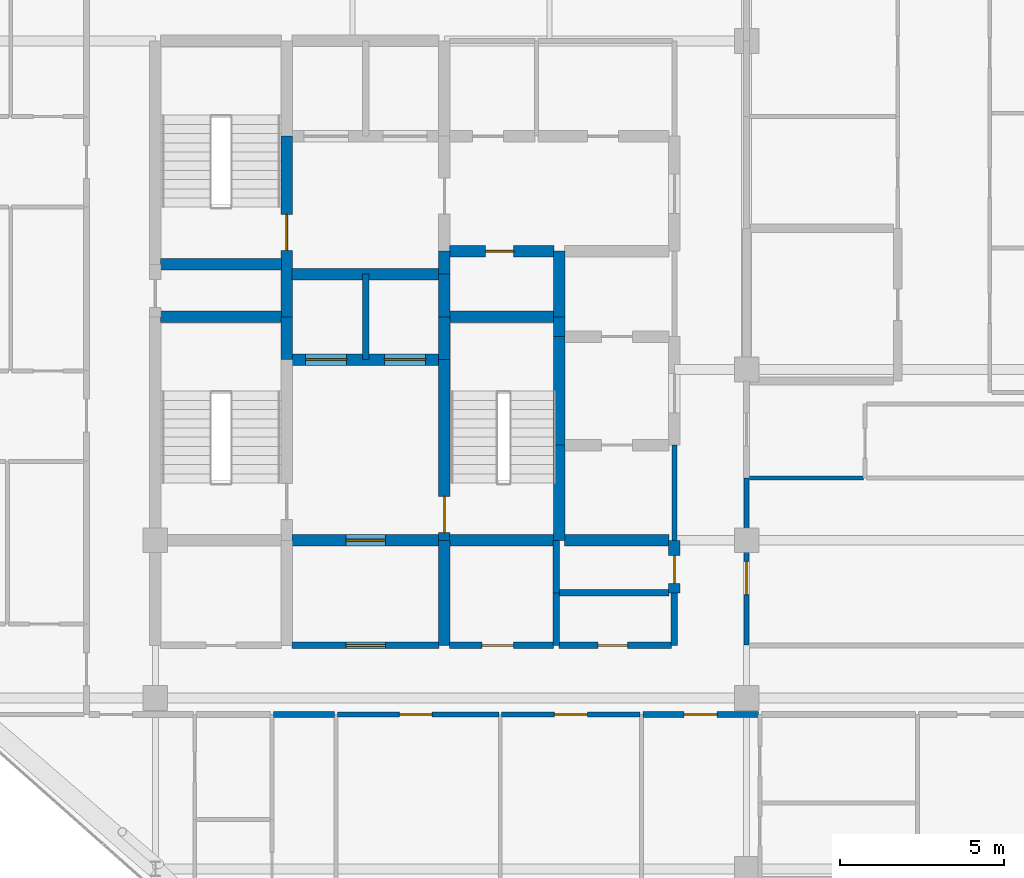
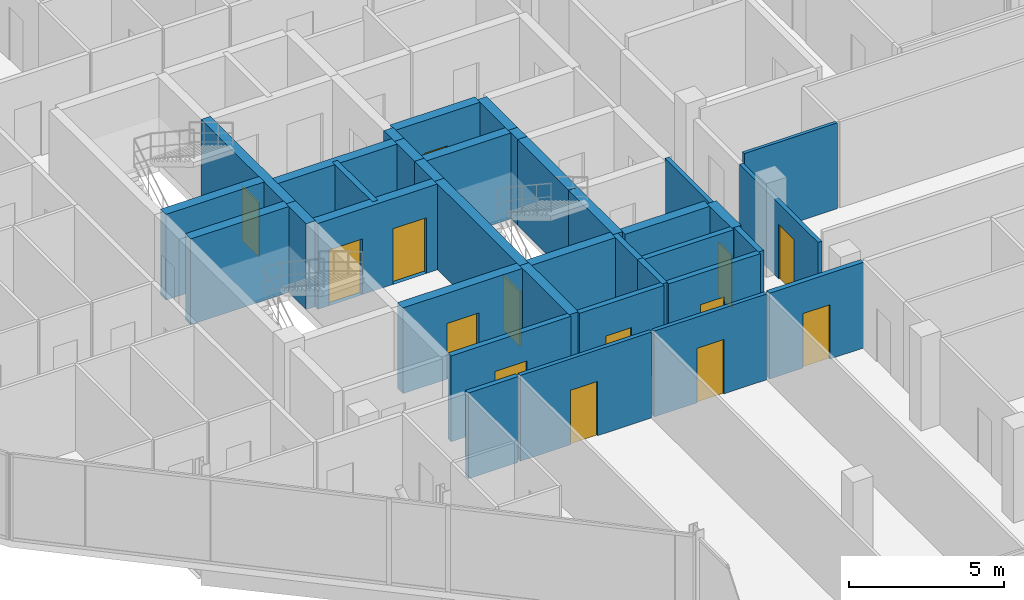
# One storey, part 24 of 29: 36 walls, 14 doors, 14 openings.
"""IFC4 building model written with IfcOpenShell, lengths in metres."""

from ifc_helpers import new_model, si_unit, direction, frame, frame_2d, origin, place, context, subcontext, project, spatial, rectangle, extrude, material, layer, layer_set, type_object, element, fill, save


model = new_model("IFC4")

# Units and contexts
model_context = context("Model", 3, precision=1e-05, world=origin(), true_north=direction((0.0, 1.0)))
body_context = subcontext(model_context, "Body", "Model", "MODEL_VIEW")
ifc_project = project(units=[si_unit("LENGTHUNIT", "METRE"), si_unit("AREAUNIT", "SQUARE_METRE"), si_unit("VOLUMEUNIT", "CUBIC_METRE"), si_unit("PLANEANGLEUNIT", "RADIAN"), si_unit("MASSUNIT", "GRAM", prefix="KILO")], contexts=[model_context])

# Site, building, storey
site_placement = place(None, origin())
site = spatial("IfcSite", under=ifc_project, at=site_placement, CompositionType="ELEMENT")
building_placement = place(site_placement, origin())
building = spatial("IfcBuilding", under=site, at=building_placement, Name="Keshet Zoharim Tower", CompositionType="ELEMENT")
storey_placement = place(building_placement, frame((0.0, 0.0, 230.199951171875)))
storey = spatial("IfcBuildingStorey", under=building, at=storey_placement, Name="L57", CompositionType="ELEMENT", Elevation=230.199951171875)

# Wall
ifc_material_1 = material(Name="Gypsum Plasterboard", Category="gypsum")
ifc_layer_1 = layer(ifc_material_1, 0.14990234375)
ifc_layer_set_1 = layer_set([ifc_layer_1], Name="Gypsum Plasterboard")
wall_type_1 = type_object("IfcWallType", Name="WL-CLIN-150", PredefinedType="STANDARD", material=ifc_layer_set_1)
wall_1_placement = place(storey_placement, frame((30.800048828125, 22.699951171875, 0.0), z_axis=(0.0, 0.0, 1.0), x_axis=(0.0, 1.0, 0.0)))
element("IfcWall", 1, at=wall_1_placement, inside=storey, type_object=wall_type_1, Name="L57 Interior Wall 058", PredefinedType="STANDARD", context=body_context, shape_type="SweptSolid", body=[
    extrude(rectangle(XDim=2.900146484375, YDim=0.14990234375, at=frame_2d((1.4501953125, 0.0))), origin(), (0.0, 0.0, 1.0), 3.39013671875),
])

# Wall, opening, door
wall_2_placement = place(storey_placement, frame((33.0, 19.510009765625, 0.0), z_axis=(0.0, 0.0, 1.0), x_axis=(0.0, 1.0, 0.0)))
wall_2 = element("IfcWall", 2, at=wall_2_placement, inside=storey, type_object=wall_type_1, Name="L57 Interior Wall 064", PredefinedType="STANDARD", context=body_context, shape_type="SweptSolid", body=[
    extrude(rectangle(XDim=5.080078125, YDim=0.14990234375, at=frame_2d((2.5400390625, 0.0))), origin(), (0.0, 0.0, 1.0), 2.989990234375),
])
opening_1_placement = place(wall_2_placement, frame((1.5400390625, 0.0, 0.0)))
opening_1 = element("IfcOpeningElement", 3, at=opening_1_placement, cuts=wall_2, Name="Opening D-F310", PredefinedType="OPENING", context=body_context, shape_type="SweptSolid", body=[
    extrude(rectangle(XDim=1.0, YDim=2.14990234375, at=frame_2d((0.5, 1.074951171875))), frame((0.0, 0.0849609375, 0.0), z_axis=(0.0, -1.0, 0.0), x_axis=(1.0, 0.0, 0.0)), (0.0, 0.0, 1.0), 0.169921875),
])
ifc_material_2 = material(Name="Hardwood Timber", Category="wood")
door_type_1 = type_object("IfcDoorType", Name="DR-FD30-100", OperationType="NOTDEFINED", PredefinedType="DOOR", material=ifc_material_2)
door_1_placement = place(opening_1_placement, origin())
door_1 = element("IfcDoor", 4, at=door_1_placement, inside=storey, type_object=door_type_1, Name="L57 South East Residents Services Suite Door 2", OperationType="SINGLE_SWING_RIGHT", OverallHeight=2.14990234375, OverallWidth=1.0, PredefinedType="DOOR", context=body_context, shape_type="SweptSolid", body=[
    extrude(rectangle(XDim=1.0, YDim=2.14990234375, at=frame_2d((0.5, 1.074951171875))), frame((0.0, 0.02490234375, 0.0), z_axis=(0.0, -1.0, 0.0), x_axis=(1.0, 0.0, 0.0)), (0.0, 0.0, 1.0), 0.050048828125),
])
fill(opening_1, door_1)

wall_3_placement = place(storey_placement, frame((20.544921875, 17.39990234375, 0.0), z_axis=(0.0, 0.0, 1.0), x_axis=(1.0, 0.0, 0.0)))
wall_3 = element("IfcWall", 5, at=wall_3_placement, inside=storey, type_object=wall_type_1, Name="L57 Interior Wall 114", PredefinedType="STANDARD", context=body_context, shape_type="SweptSolid", body=[
    extrude(rectangle(XDim=4.91015625, YDim=0.14990234375, at=frame_2d((2.455078125, 0.0))), origin(), (0.0, 0.0, 1.0), 3.39013671875),
])
opening_2_placement = place(wall_3_placement, frame((1.884033203125, 0.0, 0.0)))
opening_2 = element("IfcOpeningElement", 6, at=opening_2_placement, cuts=wall_3, Name="Opening D-F310", PredefinedType="OPENING", context=body_context, shape_type="SweptSolid", body=[
    extrude(rectangle(XDim=1.0, YDim=2.14990234375, at=frame_2d((0.5, 1.074951171875))), frame((0.0, 0.0849609375, 0.0), z_axis=(0.0, -1.0, 0.0), x_axis=(1.0, 0.0, 0.0)), (0.0, 0.0, 1.0), 0.169921875),
])
door_2_placement = place(opening_2_placement, origin())
door_2 = element("IfcDoor", 7, at=door_2_placement, inside=storey, type_object=door_type_1, Name="L57 Residents Fitness Studio Door", OperationType="SINGLE_SWING_LEFT", OverallHeight=2.14990234375, OverallWidth=1.0, PredefinedType="DOOR", context=body_context, shape_type="SweptSolid", body=[
    extrude(rectangle(XDim=1.0, YDim=2.14990234375, at=frame_2d((0.5, 1.074951171875))), frame((0.0, 0.02490234375, 0.0), z_axis=(0.0, -1.0, 0.0), x_axis=(1.0, 0.0, 0.0)), (0.0, 0.0, 1.0), 0.050048828125),
])
fill(opening_2, door_2)

wall_4_placement = place(storey_placement, frame((25.544921875, 17.39990234375, 0.0), z_axis=(0.0, 0.0, 1.0), x_axis=(1.0, 0.0, 0.0)))
wall_4 = element("IfcWall", 8, at=wall_4_placement, inside=storey, type_object=wall_type_1, Name="L57 Interior Wall 115", PredefinedType="STANDARD", context=body_context, shape_type="SweptSolid", body=[
    extrude(rectangle(XDim=4.2099609375, YDim=0.14990234375, at=frame_2d((2.10498046875, 0.0))), origin(), (0.0, 0.0, 1.0), 3.39013671875),
])
opening_3_placement = place(wall_4_placement, frame((1.60498046875, 0.0, 0.0)))
opening_3 = element("IfcOpeningElement", 9, at=opening_3_placement, cuts=wall_4, Name="Opening D-F310", PredefinedType="OPENING", context=body_context, shape_type="SweptSolid", body=[
    extrude(rectangle(XDim=1.0, YDim=2.14990234375, at=frame_2d((0.5, 1.074951171875))), frame((0.0, 0.0849609375, 0.0), z_axis=(0.0, -1.0, 0.0), x_axis=(1.0, 0.0, 0.0)), (0.0, 0.0, 1.0), 0.169921875),
])
door_3_placement = place(opening_3_placement, origin())
door_3 = element("IfcDoor", 10, at=door_3_placement, inside=storey, type_object=door_type_1, Name="L57 Residents Reading Office Door", OperationType="SINGLE_SWING_RIGHT", OverallHeight=2.14990234375, OverallWidth=1.0, PredefinedType="DOOR", context=body_context, shape_type="SweptSolid", body=[
    extrude(rectangle(XDim=1.0, YDim=2.14990234375, at=frame_2d((0.5, 1.074951171875))), frame((0.0, 0.02490234375, 0.0), z_axis=(0.0, -1.0, 0.0), x_axis=(1.0, 0.0, 0.0)), (0.0, 0.0, 1.0), 0.050048828125),
])
fill(opening_3, door_3)

# Wall
ifc_material_3 = material(Name="Concrete C60/75", Category="concrete")
ifc_layer_2 = layer(ifc_material_3, 0.35009765625)
ifc_layer_set_2 = layer_set([ifc_layer_2], Name="Concrete C60/75")
wall_type_2 = type_object("IfcWallType", Name="WL-CORE-350", PredefinedType="SHEAR", material=ifc_layer_set_2)
wall_5_placement = place(storey_placement, frame((19.0, 28.199951171875, 0.0), z_axis=(0.0, 0.0, 1.0), x_axis=(0.0, 1.0, 0.0)))
element("IfcWall", 11, at=wall_5_placement, inside=storey, type_object=wall_type_2, Name="L57 Core Shear Wall 025", PredefinedType="SHEAR", context=body_context, shape_type="SweptSolid", body=[
    extrude(rectangle(XDim=1.300048828125, YDim=0.35009765625, at=frame_2d((0.64990234375, 0.0))), origin(), (0.0, 0.0, 1.0), 3.39013671875),
])

# Wall, opening, door
wall_6_placement = place(storey_placement, frame((19.0, 29.5, 0.0), z_axis=(0.0, 0.0, 1.0), x_axis=(0.0, 1.0, 0.0)))
wall_6 = element("IfcWall", 12, at=wall_6_placement, inside=storey, type_object=wall_type_2, Name="L57 Core Shear Wall 026", PredefinedType="SHEAR", context=body_context, shape_type="SweptSolid", body=[
    extrude(rectangle(XDim=5.5, YDim=0.35009765625, at=frame_2d((2.75, 0.0))), origin(), (0.0, 0.0, 1.0), 3.39013671875),
])
opening_4_placement = place(wall_6_placement, frame((2.02490234375, 0.0, 0.0)))
opening_4 = element("IfcOpeningElement", 13, at=opening_4_placement, cuts=wall_6, Name="Opening D-F611", PredefinedType="OPENING", context=body_context, shape_type="SweptSolid", body=[
    extrude(rectangle(XDim=1.10009765625, YDim=2.14990234375, at=frame_2d((0.550048828125, 1.074951171875))), frame((0.0, 0.18505859375, 0.0), z_axis=(0.0, -1.0, 0.0), x_axis=(1.0, 0.0, 0.0)), (0.0, 0.0, 1.0), 0.3701171875),
])
door_type_2 = type_object("IfcDoorType", Name="DR-FD60-110", OperationType="NOTDEFINED", PredefinedType="DOOR", material=ifc_material_2)
door_4_placement = place(opening_4_placement, origin())
door_4 = element("IfcDoor", 14, at=door_4_placement, inside=storey, type_object=door_type_2, Name="L57 Exit Stair ST-02 Fire Door", OperationType="SINGLE_SWING_LEFT", OverallHeight=2.14990234375, OverallWidth=1.10009765625, PredefinedType="DOOR", context=body_context, shape_type="SweptSolid", body=[
    extrude(rectangle(XDim=1.10009765625, YDim=2.14990234375, at=frame_2d((0.550048828125, 1.074951171875))), frame((0.0, 0.02490234375, 0.0), z_axis=(0.0, -1.0, 0.0), x_axis=(1.0, 0.0, 0.0)), (0.0, 0.0, 1.0), 0.050048828125),
])
fill(opening_4, door_4)

# Wall
wall_7_placement = place(storey_placement, frame((23.800048828125, 19.5, 0.0), z_axis=(0.0, 0.0, 1.0), x_axis=(0.0, 1.0, 0.0)))
element("IfcWall", 15, at=wall_7_placement, inside=storey, type_object=wall_type_2, Name="L57 Core Shear Wall 035", PredefinedType="SHEAR", context=body_context, shape_type="SweptSolid", body=[
    extrude(rectangle(XDim=3.199951171875, YDim=0.35009765625, at=frame_2d((1.60009765625, 0.0))), origin(), (0.0, 0.0, 1.0), 3.39013671875),
])

# Wall, opening, door
wall_8_placement = place(storey_placement, frame((23.800048828125, 22.699951171875, 0.0), z_axis=(0.0, 0.0, 1.0), x_axis=(0.0, 1.0, 0.0)))
wall_8 = element("IfcWall", 16, at=wall_8_placement, inside=storey, type_object=wall_type_2, Name="L57 Core Shear Wall 036", PredefinedType="SHEAR", context=body_context, shape_type="SweptSolid", body=[
    extrude(rectangle(XDim=5.5, YDim=0.35009765625, at=frame_2d((2.75, 0.0))), origin(), (0.0, 0.0, 1.0), 3.39013671875),
])
opening_5_placement = place(wall_8_placement, frame((0.235107421875, 0.0, 0.0)))
opening_5 = element("IfcOpeningElement", 17, at=opening_5_placement, cuts=wall_8, Name="Opening D-F611", PredefinedType="OPENING", context=body_context, shape_type="SweptSolid", body=[
    extrude(rectangle(XDim=1.10009765625, YDim=2.14990234375, at=frame_2d((0.550048828125, 1.074951171875))), frame((0.0, 0.18505859375, 0.0), z_axis=(0.0, -1.0, 0.0), x_axis=(1.0, 0.0, 0.0)), (0.0, 0.0, 1.0), 0.3701171875),
])
door_5_placement = place(opening_5_placement, frame((1.10009765625, 0.0, 0.0), z_axis=(0.0, 0.0, 1.0), x_axis=(-1.0, 0.0, 0.0)))
door_5 = element("IfcDoor", 18, at=door_5_placement, inside=storey, type_object=door_type_2, Name="L57 Exit Stair ST-03 Fire Door", OperationType="SINGLE_SWING_LEFT", OverallHeight=2.14990234375, OverallWidth=1.10009765625, PredefinedType="DOOR", context=body_context, shape_type="SweptSolid", body=[
    extrude(rectangle(XDim=1.10009765625, YDim=2.14990234375, at=frame_2d((0.550048828125, 1.074951171875))), frame((0.0, 0.02490234375, 0.0), z_axis=(0.0, -1.0, 0.0), x_axis=(1.0, 0.0, 0.0)), (0.0, 0.0, 1.0), 0.050048828125),
])
fill(opening_5, door_5)

# Walls
for number, where, z_axis, x_axis, name in (
    (19, (23.800048828125, 28.199951171875, 0.0), (0.0, 0.0, 1.0), (0.0, 1.0, 0.0), "L57 Core Shear Wall 037"),
    (20, (23.800048828125, 29.5, 0.0), (0.0, 0.0, 1.0), (0.0, 1.0, 0.0), "L57 Core Shear Wall 038"),
):
    element("IfcWall", number, at=place(storey_placement, frame(where, z_axis=z_axis, x_axis=x_axis)), inside=storey, type_object=wall_type_2, Name=name, PredefinedType="SHEAR", context=body_context, shape_type="SweptSolid", body=[
        extrude(rectangle(XDim=1.300048828125, YDim=0.35009765625, at=frame_2d((0.64990234375, 0.0))), origin(), (0.0, 0.0, 1.0), 3.39013671875),
    ])
wall_9_placement = place(storey_placement, frame((23.800048828125, 30.800048828125, 0.0), z_axis=(0.0, 0.0, 1.0), x_axis=(0.0, 1.0, 0.0)))
element("IfcWall", 21, at=wall_9_placement, inside=storey, type_object=wall_type_2, Name="L57 Core Shear Wall 039", PredefinedType="SHEAR", context=body_context, shape_type="SweptSolid", body=[
    extrude(rectangle(XDim=0.699951171875, YDim=0.35009765625, at=frame_2d((0.35009765625, 0.0))), origin(), (0.0, 0.0, 1.0), 3.39013671875),
])
wall_10_placement = place(storey_placement, frame((27.300048828125, 22.699951171875, 0.0), z_axis=(0.0, 0.0, 1.0), x_axis=(0.0, 1.0, 0.0)))
element("IfcWall", 22, at=wall_10_placement, inside=storey, type_object=wall_type_2, Name="L57 Core Shear Wall 047", PredefinedType="SHEAR", context=body_context, shape_type="SweptSolid", body=[
    extrude(rectangle(XDim=2.900146484375, YDim=0.35009765625, at=frame_2d((1.4501953125, 0.0))), origin(), (0.0, 0.0, 1.0), 3.39013671875),
])
wall_11_placement = place(storey_placement, frame((27.300048828125, 25.60009765625, 0.0), z_axis=(0.0, 0.0, 1.0), x_axis=(0.0, 1.0, 0.0)))
element("IfcWall", 23, at=wall_11_placement, inside=storey, type_object=wall_type_2, Name="L57 Core Shear Wall 048", PredefinedType="SHEAR", context=body_context, shape_type="SweptSolid", body=[
    extrude(rectangle(XDim=3.2998046875, YDim=0.35009765625, at=frame_2d((1.64990234375, 0.0))), origin(), (0.0, 0.0, 1.0), 3.39013671875),
])
wall_12_placement = place(storey_placement, frame((27.300048828125, 28.89990234375, 0.0), z_axis=(0.0, 0.0, 1.0), x_axis=(0.0, 1.0, 0.0)))
element("IfcWall", 24, at=wall_12_placement, inside=storey, type_object=wall_type_2, Name="L57 Core Shear Wall 049", PredefinedType="SHEAR", context=body_context, shape_type="SweptSolid", body=[
    extrude(rectangle(XDim=0.60009765625, YDim=0.35009765625, at=frame_2d((0.300048828125, 0.0))), origin(), (0.0, 0.0, 1.0), 3.39013671875),
])
wall_13_placement = place(storey_placement, frame((27.300048828125, 29.5, 0.0), z_axis=(0.0, 0.0, 1.0), x_axis=(0.0, 1.0, 0.0)))
element("IfcWall", 25, at=wall_13_placement, inside=storey, type_object=wall_type_2, Name="L57 Core Shear Wall 050", PredefinedType="SHEAR", context=body_context, shape_type="SweptSolid", body=[
    extrude(rectangle(XDim=2.0, YDim=0.35009765625, at=frame_2d((1.0, 0.0))), origin(), (0.0, 0.0, 1.0), 3.39013671875),
])

# Wall, opening, door
wall_14_placement = place(storey_placement, frame((30.800048828125, 21.10009765625, 0.0), z_axis=(0.0, 0.0, 1.0), x_axis=(0.0, 1.0, 0.0)))
wall_14 = element("IfcWall", 26, at=wall_14_placement, inside=storey, type_object=wall_type_2, Name="L57 Core Shear Wall 057", PredefinedType="SHEAR", context=body_context, shape_type="SweptSolid", body=[
    extrude(rectangle(XDim=1.599853515625, YDim=0.35009765625, at=frame_2d((0.7998046875, 0.0))), origin(), (0.0, 0.0, 1.0), 3.39013671875),
])
opening_6_placement = place(wall_14_placement, frame((0.287109375, 0.0, 0.0)))
opening_6 = element("IfcOpeningElement", 27, at=opening_6_placement, cuts=wall_14, Name="Opening D-RS85", PredefinedType="OPENING", context=body_context, shape_type="SweptSolid", body=[
    extrude(rectangle(XDim=0.85009765625, YDim=2.10009765625, at=frame_2d((0.425048828125, 1.050048828125))), frame((0.0, 0.18505859375, 0.0), z_axis=(0.0, -1.0, 0.0), x_axis=(1.0, 0.0, 0.0)), (0.0, 0.0, 1.0), 0.3701171875),
])
door_type_3 = type_object("IfcDoorType", Name="DR-RIS-085", OperationType="NOTDEFINED", PredefinedType="DOOR", material=ifc_material_2)
door_6_placement = place(opening_6_placement, origin())
door_6 = element("IfcDoor", 28, at=door_6_placement, inside=storey, type_object=door_type_3, Name="L57 Linen Store Door", OperationType="SINGLE_SWING_LEFT", OverallHeight=2.10009765625, OverallWidth=0.85009765625, PredefinedType="DOOR", context=body_context, shape_type="SweptSolid", body=[
    extrude(rectangle(XDim=0.85009765625, YDim=2.10009765625, at=frame_2d((0.425048828125, 1.050048828125))), frame((0.0, 0.02490234375, 0.0), z_axis=(0.0, -1.0, 0.0), x_axis=(1.0, 0.0, 0.0)), (0.0, 0.0, 1.0), 0.050048828125),
])
fill(opening_6, door_6)

wall_15_placement = place(storey_placement, frame((19.159912109375, 22.699951171875, 0.0), z_axis=(0.0, 0.0, 1.0), x_axis=(1.0, 0.0, 0.0)))
wall_15 = element("IfcWall", 29, at=wall_15_placement, inside=storey, type_object=wall_type_2, Name="L57 Core Shear Wall 133", PredefinedType="SHEAR", context=body_context, shape_type="SweptSolid", body=[
    extrude(rectangle(XDim=4.47998046875, YDim=0.35009765625, at=frame_2d((2.239990234375, 0.0))), origin(), (0.0, 0.0, 1.0), 3.39013671875),
])
opening_7_placement = place(wall_15_placement, frame((1.639892578125, 0.0, 0.0)))
opening_7 = element("IfcOpeningElement", 30, at=opening_7_placement, cuts=wall_15, Name="Opening D-F612", PredefinedType="OPENING", context=body_context, shape_type="SweptSolid", body=[
    extrude(rectangle(XDim=1.199951171875, YDim=2.199951171875, at=frame_2d((0.60009765625, 1.10009765625))), frame((0.0, 0.18505859375, 0.0), z_axis=(0.0, -1.0, 0.0), x_axis=(1.0, 0.0, 0.0)), (0.0, 0.0, 1.0), 0.3701171875),
])
door_type_4 = type_object("IfcDoorType", Name="DR-FD60-120", OperationType="NOTDEFINED", PredefinedType="DOOR", material=ifc_material_2)
door_7_placement = place(opening_7_placement, origin())
door_7 = element("IfcDoor", 31, at=door_7_placement, inside=storey, type_object=door_type_4, Name="L57 South Core Lobby Fire Door", OperationType="SINGLE_SWING_RIGHT", OverallHeight=2.199951171875, OverallWidth=1.199951171875, PredefinedType="DOOR", context=body_context, shape_type="SweptSolid", body=[
    extrude(rectangle(XDim=1.199951171875, YDim=2.199951171875, at=frame_2d((0.60009765625, 1.10009765625))), frame((0.0, 0.02490234375, 0.0), z_axis=(0.0, -1.0, 0.0), x_axis=(1.0, 0.0, 0.0)), (0.0, 0.0, 1.0), 0.050048828125),
])
fill(opening_7, door_7)

# Walls
wall_16_placement = place(storey_placement, frame((23.9599609375, 22.699951171875, 0.0), z_axis=(0.0, 0.0, 1.0), x_axis=(1.0, 0.0, 0.0)))
element("IfcWall", 32, at=wall_16_placement, inside=storey, type_object=wall_type_2, Name="L57 Core Shear Wall 134", PredefinedType="SHEAR", context=body_context, shape_type="SweptSolid", body=[
    extrude(rectangle(XDim=3.155029296875, YDim=0.35009765625, at=frame_2d((1.57763671875, 0.0))), origin(), (0.0, 0.0, 1.0), 3.39013671875),
])
wall_17_placement = place(storey_placement, frame((27.4599609375, 22.699951171875, 0.0), z_axis=(0.0, 0.0, 1.0), x_axis=(1.0, 0.0, 0.0)))
element("IfcWall", 33, at=wall_17_placement, inside=storey, type_object=wall_type_2, Name="L57 Core Shear Wall 135", PredefinedType="SHEAR", context=body_context, shape_type="SweptSolid", body=[
    extrude(rectangle(XDim=3.179931640625, YDim=0.35009765625, at=frame_2d((1.58984375, 0.0))), origin(), (0.0, 0.0, 1.0), 3.39013671875),
])

# Wall, openings, doors
wall_18_placement = place(storey_placement, frame((19.159912109375, 28.199951171875, 0.0), z_axis=(0.0, 0.0, 1.0), x_axis=(1.0, 0.0, 0.0)))
wall_18 = element("IfcWall", 34, at=wall_18_placement, inside=storey, type_object=wall_type_2, Name="L57 Core Shear Wall 148", PredefinedType="SHEAR", context=body_context, shape_type="SweptSolid", body=[
    extrude(rectangle(XDim=4.47998046875, YDim=0.35009765625, at=frame_2d((2.239990234375, 0.0))), origin(), (0.0, 0.0, 1.0), 3.39013671875),
])
opening_8_placement = place(wall_18_placement, frame((0.4150390625, 0.0, 0.0)))
opening_8 = element("IfcOpeningElement", 35, at=opening_8_placement, cuts=wall_18, Name="Opening LD-01", PredefinedType="OPENING", context=body_context, shape_type="SweptSolid", body=[
    extrude(rectangle(XDim=1.25, YDim=2.199951171875, at=frame_2d((0.625, 1.10009765625))), frame((0.0, 0.18505859375, 0.0), z_axis=(0.0, -1.0, 0.0), x_axis=(1.0, 0.0, 0.0)), (0.0, 0.0, 1.0), 0.3701171875),
])
opening_9_placement = place(wall_18_placement, frame((2.81494140625, 0.0, 0.0)))
opening_9 = element("IfcOpeningElement", 36, at=opening_9_placement, cuts=wall_18, Name="Opening LD-01", PredefinedType="OPENING", context=body_context, shape_type="SweptSolid", body=[
    extrude(rectangle(XDim=1.25, YDim=2.199951171875, at=frame_2d((0.625, 1.10009765625))), frame((0.0, 0.18505859375, 0.0), z_axis=(0.0, -1.0, 0.0), x_axis=(1.0, 0.0, 0.0)), (0.0, 0.0, 1.0), 0.3701171875),
])
ifc_material_4 = material(Name="Steel S355", Category="steel")
door_type_5 = type_object("IfcDoorType", Name="DR-LD01-125", OperationType="DOUBLE_DOOR_SLIDING", PredefinedType="DOOR", material=ifc_material_4)
door_8_placement = place(opening_8_placement, origin())
door_8 = element("IfcDoor", 37, at=door_8_placement, inside=storey, type_object=door_type_5, Name="L57 Passenger Lift Landing Door LF-09", OperationType="DOUBLE_DOOR_SLIDING", OverallHeight=2.199951171875, OverallWidth=1.25, PredefinedType="DOOR", context=body_context, shape_type="SweptSolid", body=[
    extrude(rectangle(XDim=1.25, YDim=2.199951171875, at=frame_2d((0.625, 1.10009765625))), frame((0.0, 0.02490234375, 0.0), z_axis=(0.0, -1.0, 0.0), x_axis=(1.0, 0.0, 0.0)), (0.0, 0.0, 1.0), 0.050048828125),
])
fill(opening_8, door_8)
door_9_placement = place(opening_9_placement, origin())
door_9 = element("IfcDoor", 38, at=door_9_placement, inside=storey, type_object=door_type_5, Name="L57 Passenger Lift Landing Door LF-10", OperationType="DOUBLE_DOOR_SLIDING", OverallHeight=2.199951171875, OverallWidth=1.25, PredefinedType="DOOR", context=body_context, shape_type="SweptSolid", body=[
    extrude(rectangle(XDim=1.25, YDim=2.199951171875, at=frame_2d((0.625, 1.10009765625))), frame((0.0, 0.02490234375, 0.0), z_axis=(0.0, -1.0, 0.0), x_axis=(1.0, 0.0, 0.0)), (0.0, 0.0, 1.0), 0.050048828125),
])
fill(opening_9, door_9)

# Walls
wall_19_placement = place(storey_placement, frame((15.159912109375, 29.5, 0.0), z_axis=(0.0, 0.0, 1.0), x_axis=(1.0, 0.0, 0.0)))
element("IfcWall", 39, at=wall_19_placement, inside=storey, type_object=wall_type_2, Name="L57 Core Shear Wall 150", PredefinedType="SHEAR", context=body_context, shape_type="SweptSolid", body=[
    extrude(rectangle(XDim=3.68017578125, YDim=0.35009765625, at=frame_2d((1.840087890625, 0.0))), origin(), (0.0, 0.0, 1.0), 3.39013671875),
])
wall_20_placement = place(storey_placement, frame((23.9599609375, 29.5, 0.0), z_axis=(0.0, 0.0, 1.0), x_axis=(1.0, 0.0, 0.0)))
element("IfcWall", 40, at=wall_20_placement, inside=storey, type_object=wall_type_2, Name="L57 Core Shear Wall 151", PredefinedType="SHEAR", context=body_context, shape_type="SweptSolid", body=[
    extrude(rectangle(XDim=3.179931640625, YDim=0.35009765625, at=frame_2d((1.58984375, 0.0))), origin(), (0.0, 0.0, 1.0), 3.39013671875),
])
wall_21_placement = place(storey_placement, frame((19.159912109375, 30.800048828125, 0.0), z_axis=(0.0, 0.0, 1.0), x_axis=(1.0, 0.0, 0.0)))
element("IfcWall", 41, at=wall_21_placement, inside=storey, type_object=wall_type_2, Name="L57 Core Shear Wall 152", PredefinedType="SHEAR", context=body_context, shape_type="SweptSolid", body=[
    extrude(rectangle(XDim=4.47998046875, YDim=0.35009765625, at=frame_2d((2.239990234375, 0.0))), origin(), (0.0, 0.0, 1.0), 3.39013671875),
])
wall_22_placement = place(storey_placement, frame((15.159912109375, 31.10009765625, 0.0), z_axis=(0.0, 0.0, 1.0), x_axis=(1.0, 0.0, 0.0)))
element("IfcWall", 42, at=wall_22_placement, inside=storey, type_object=wall_type_2, Name="L57 Core Shear Wall 153", PredefinedType="SHEAR", context=body_context, shape_type="SweptSolid", body=[
    extrude(rectangle(XDim=3.68017578125, YDim=0.35009765625, at=frame_2d((1.840087890625, 0.0))), origin(), (0.0, 0.0, 1.0), 3.39013671875),
])

# Wall, opening, door
wall_23_placement = place(storey_placement, frame((23.9599609375, 31.5, 0.0), z_axis=(0.0, 0.0, 1.0), x_axis=(1.0, 0.0, 0.0)))
wall_23 = element("IfcWall", 43, at=wall_23_placement, inside=storey, type_object=wall_type_2, Name="L57 Core Shear Wall 154", PredefinedType="SHEAR", context=body_context, shape_type="SweptSolid", body=[
    extrude(rectangle(XDim=3.179931640625, YDim=0.35009765625, at=frame_2d((1.58984375, 0.0))), origin(), (0.0, 0.0, 1.0), 3.39013671875),
])
opening_10_placement = place(wall_23_placement, frame((1.093994140625, 0.0, 0.0)))
opening_10 = element("IfcOpeningElement", 44, at=opening_10_placement, cuts=wall_23, Name="Opening D-RS85", PredefinedType="OPENING", context=body_context, shape_type="SweptSolid", body=[
    extrude(rectangle(XDim=0.85009765625, YDim=2.10009765625, at=frame_2d((0.425048828125, 1.050048828125))), frame((0.0, 0.18505859375, 0.0), z_axis=(0.0, -1.0, 0.0), x_axis=(1.0, 0.0, 0.0)), (0.0, 0.0, 1.0), 0.3701171875),
])
door_10_placement = place(opening_10_placement, origin())
door_10 = element("IfcDoor", 45, at=door_10_placement, inside=storey, type_object=door_type_3, Name="L57 Telecom Riser Access Cupboard Door", OperationType="SINGLE_SWING_RIGHT", OverallHeight=2.10009765625, OverallWidth=0.85009765625, PredefinedType="DOOR", context=body_context, shape_type="SweptSolid", body=[
    extrude(rectangle(XDim=0.85009765625, YDim=2.10009765625, at=frame_2d((0.425048828125, 1.050048828125))), frame((0.0, 0.02490234375, 0.0), z_axis=(0.0, -1.0, 0.0), x_axis=(1.0, 0.0, 0.0)), (0.0, 0.0, 1.0), 0.050048828125),
])
fill(opening_10, door_10)

# Wall
ifc_layer_3 = layer(ifc_material_1, 0.179931640625)
ifc_layer_set_3 = layer_set([ifc_layer_3], Name="Gypsum Plasterboard")
wall_type_3 = type_object("IfcWallType", Name="WL-CORR-180", PredefinedType="STANDARD", material=ifc_layer_set_3)
wall_24_placement = place(storey_placement, frame((18.594970703125, 17.39990234375, 0.0), z_axis=(0.0, 0.0, 1.0), x_axis=(1.0, 0.0, 0.0)))
element("IfcWall", 46, at=wall_24_placement, inside=storey, type_object=wall_type_3, Name="L57 Interior Wall 113", PredefinedType="STANDARD", context=body_context, shape_type="SweptSolid", body=[
    extrude(rectangle(XDim=1.860107421875, YDim=0.179931640625, at=frame_2d((0.93017578125, 0.0))), origin(), (0.0, 0.0, 1.0), 3.39013671875),
])

# Wall, opening, door
wall_25_placement = place(storey_placement, frame((29.844970703125, 17.39990234375, 0.0), z_axis=(0.0, 0.0, 1.0), x_axis=(1.0, 0.0, 0.0)))
wall_25 = element("IfcWall", 47, at=wall_25_placement, inside=storey, type_object=wall_type_3, Name="L57 Interior Wall 116", PredefinedType="STANDARD", context=body_context, shape_type="SweptSolid", body=[
    extrude(rectangle(XDim=3.510009765625, YDim=0.179931640625, at=frame_2d((1.7548828125, 0.0))), origin(), (0.0, 0.0, 1.0), 3.39013671875),
])
opening_11_placement = place(wall_25_placement, frame((1.2548828125, 0.0, 0.0)))
opening_11 = element("IfcOpeningElement", 48, at=opening_11_placement, cuts=wall_25, Name="Opening D-F310", PredefinedType="OPENING", context=body_context, shape_type="SweptSolid", body=[
    extrude(rectangle(XDim=1.0, YDim=2.14990234375, at=frame_2d((0.5, 1.074951171875))), frame((0.0, 0.10009765625, 0.0), z_axis=(0.0, -1.0, 0.0), x_axis=(1.0, 0.0, 0.0)), (0.0, 0.0, 1.0), 0.199951171875),
])
door_11_placement = place(opening_11_placement, origin())
door_11 = element("IfcDoor", 49, at=door_11_placement, inside=storey, type_object=door_type_1, Name="Apartment 5702 Entrance Door", OperationType="SINGLE_SWING_LEFT", OverallHeight=2.14990234375, OverallWidth=1.0, PredefinedType="DOOR", context=body_context, shape_type="SweptSolid", body=[
    extrude(rectangle(XDim=1.0, YDim=2.14990234375, at=frame_2d((0.5, 1.074951171875))), frame((0.0, 0.02490234375, 0.0), z_axis=(0.0, -1.0, 0.0), x_axis=(1.0, 0.0, 0.0)), (0.0, 0.0, 1.0), 0.050048828125),
])
fill(opening_11, door_11)

# Walls
ifc_material_5 = material(Name="Concrete C50/60", Category="concrete")
ifc_layer_4 = layer(ifc_material_5, 0.199951171875)
ifc_layer_set_4 = layer_set([ifc_layer_4], Name="Concrete C50/60")
wall_type_4 = type_object("IfcWallType", Name="WL-FIRE-200", PredefinedType="STANDARD", material=ifc_layer_set_4)
wall_26_placement = place(storey_placement, frame((21.39990234375, 28.199951171875, 0.0), z_axis=(0.0, 0.0, 1.0), x_axis=(0.0, 1.0, 0.0)))
element("IfcWall", 50, at=wall_26_placement, inside=storey, type_object=wall_type_4, Name="L57 Interior Wall 031", PredefinedType="STANDARD", context=body_context, shape_type="SweptSolid", body=[
    extrude(rectangle(XDim=2.60009765625, YDim=0.199951171875, at=frame_2d((1.300048828125, 0.0))), origin(), (0.0, 0.0, 1.0), 3.39013671875),
])
wall_27_placement = place(storey_placement, frame((27.199951171875, 19.5, 0.0), z_axis=(0.0, 0.0, 1.0), x_axis=(0.0, 1.0, 0.0)))
element("IfcWall", 51, at=wall_27_placement, inside=storey, type_object=wall_type_4, Name="L57 Interior Wall 045", PredefinedType="STANDARD", context=body_context, shape_type="SweptSolid", body=[
    extrude(rectangle(XDim=1.60009765625, YDim=0.199951171875, at=frame_2d((0.800048828125, 0.0))), origin(), (0.0, 0.0, 1.0), 3.39013671875),
])
wall_28_placement = place(storey_placement, frame((27.199951171875, 21.10009765625, 0.0), z_axis=(0.0, 0.0, 1.0), x_axis=(0.0, 1.0, 0.0)))
element("IfcWall", 52, at=wall_28_placement, inside=storey, type_object=wall_type_4, Name="L57 Interior Wall 046", PredefinedType="STANDARD", context=body_context, shape_type="SweptSolid", body=[
    extrude(rectangle(XDim=1.599853515625, YDim=0.199951171875, at=frame_2d((0.7998046875, 0.0))), origin(), (0.0, 0.0, 1.0), 3.39013671875),
])
wall_29_placement = place(storey_placement, frame((30.800048828125, 19.5, 0.0), z_axis=(0.0, 0.0, 1.0), x_axis=(0.0, 1.0, 0.0)))
element("IfcWall", 53, at=wall_29_placement, inside=storey, type_object=wall_type_4, Name="L57 Interior Wall 056", PredefinedType="STANDARD", context=body_context, shape_type="SweptSolid", body=[
    extrude(rectangle(XDim=1.60009765625, YDim=0.199951171875, at=frame_2d((0.800048828125, 0.0))), origin(), (0.0, 0.0, 1.0), 3.39013671875),
])

# Wall, opening, door
wall_30_placement = place(storey_placement, frame((19.159912109375, 19.5, 0.0), z_axis=(0.0, 0.0, 1.0), x_axis=(1.0, 0.0, 0.0)))
wall_30 = element("IfcWall", 54, at=wall_30_placement, inside=storey, type_object=wall_type_4, Name="L57 Interior Wall 124", PredefinedType="STANDARD", context=body_context, shape_type="SweptSolid", body=[
    extrude(rectangle(XDim=4.47998046875, YDim=0.199951171875, at=frame_2d((2.239990234375, 0.0))), origin(), (0.0, 0.0, 1.0), 3.39013671875),
])
opening_12_placement = place(wall_30_placement, frame((1.639892578125, 0.0, 0.0)))
opening_12 = element("IfcOpeningElement", 55, at=opening_12_placement, cuts=wall_30, Name="Opening D-F612", PredefinedType="OPENING", context=body_context, shape_type="SweptSolid", body=[
    extrude(rectangle(XDim=1.199951171875, YDim=2.199951171875, at=frame_2d((0.60009765625, 1.10009765625))), frame((0.0, 0.10986328125, 0.0), z_axis=(0.0, -1.0, 0.0), x_axis=(1.0, 0.0, 0.0)), (0.0, 0.0, 1.0), 0.219970703125),
])
door_12_placement = place(opening_12_placement, origin())
door_12 = element("IfcDoor", 56, at=door_12_placement, inside=storey, type_object=door_type_4, Name="L57 South Vestibule Corridor Door", OperationType="SINGLE_SWING_LEFT", OverallHeight=2.199951171875, OverallWidth=1.199951171875, PredefinedType="DOOR", context=body_context, shape_type="SweptSolid", body=[
    extrude(rectangle(XDim=1.199951171875, YDim=2.199951171875, at=frame_2d((0.60009765625, 1.10009765625))), frame((0.0, 0.02490234375, 0.0), z_axis=(0.0, -1.0, 0.0), x_axis=(1.0, 0.0, 0.0)), (0.0, 0.0, 1.0), 0.050048828125),
])
fill(opening_12, door_12)

wall_31_placement = place(storey_placement, frame((23.9599609375, 19.5, 0.0), z_axis=(0.0, 0.0, 1.0), x_axis=(1.0, 0.0, 0.0)))
wall_31 = element("IfcWall", 57, at=wall_31_placement, inside=storey, type_object=wall_type_4, Name="L57 Interior Wall 125", PredefinedType="STANDARD", context=body_context, shape_type="SweptSolid", body=[
    extrude(rectangle(XDim=3.155029296875, YDim=0.199951171875, at=frame_2d((1.57763671875, 0.0))), origin(), (0.0, 0.0, 1.0), 3.39013671875),
])
opening_13_placement = place(wall_31_placement, frame((0.990966796875, 0.0, 0.0)))
opening_13 = element("IfcOpeningElement", 58, at=opening_13_placement, cuts=wall_31, Name="Opening D-F695", PredefinedType="OPENING", context=body_context, shape_type="SweptSolid", body=[
    extrude(rectangle(XDim=0.949951171875, YDim=2.14990234375, at=frame_2d((0.47509765625, 1.074951171875))), frame((0.0, 0.10986328125, 0.0), z_axis=(0.0, -1.0, 0.0), x_axis=(1.0, 0.0, 0.0)), (0.0, 0.0, 1.0), 0.219970703125),
])
door_type_6 = type_object("IfcDoorType", Name="DR-FD60-095", OperationType="NOTDEFINED", PredefinedType="DOOR", material=ifc_material_2)
door_13_placement = place(opening_13_placement, origin())
door_13 = element("IfcDoor", 59, at=door_13_placement, inside=storey, type_object=door_type_6, Name="L57 Utility Room Door", OperationType="SINGLE_SWING_RIGHT", OverallHeight=2.14990234375, OverallWidth=0.949951171875, PredefinedType="DOOR", context=body_context, shape_type="SweptSolid", body=[
    extrude(rectangle(XDim=0.949951171875, YDim=2.14990234375, at=frame_2d((0.47509765625, 1.074951171875))), frame((0.0, 0.02490234375, 0.0), z_axis=(0.0, -1.0, 0.0), x_axis=(1.0, 0.0, 0.0)), (0.0, 0.0, 1.0), 0.050048828125),
])
fill(opening_13, door_13)

wall_32_placement = place(storey_placement, frame((27.284912109375, 19.5, 0.0), z_axis=(0.0, 0.0, 1.0), x_axis=(1.0, 0.0, 0.0)))
wall_32 = element("IfcWall", 60, at=wall_32_placement, inside=storey, type_object=wall_type_4, Name="L57 Interior Wall 126", PredefinedType="STANDARD", context=body_context, shape_type="SweptSolid", body=[
    extrude(rectangle(XDim=3.43017578125, YDim=0.199951171875, at=frame_2d((1.715087890625, 0.0))), origin(), (0.0, 0.0, 1.0), 3.39013671875),
])
opening_14_placement = place(wall_32_placement, frame((1.19189453125, 0.0, 0.0)))
opening_14 = element("IfcOpeningElement", 61, at=opening_14_placement, cuts=wall_32, Name="Opening D-F690", PredefinedType="OPENING", context=body_context, shape_type="SweptSolid", body=[
    extrude(rectangle(XDim=0.89990234375, YDim=2.14990234375, at=frame_2d((0.449951171875, 1.074951171875))), frame((0.0, 0.10986328125, 0.0), z_axis=(0.0, -1.0, 0.0), x_axis=(1.0, 0.0, 0.0)), (0.0, 0.0, 1.0), 0.219970703125),
])
door_type_7 = type_object("IfcDoorType", Name="DR-FD60-090", OperationType="NOTDEFINED", PredefinedType="DOOR", material=ifc_material_2)
door_14_placement = place(opening_14_placement, origin())
door_14 = element("IfcDoor", 62, at=door_14_placement, inside=storey, type_object=door_type_7, Name="L57 Valve Room Door", OperationType="SINGLE_SWING_LEFT", OverallHeight=2.14990234375, OverallWidth=0.89990234375, PredefinedType="DOOR", context=body_context, shape_type="SweptSolid", body=[
    extrude(rectangle(XDim=0.89990234375, YDim=2.14990234375, at=frame_2d((0.449951171875, 1.074951171875))), frame((0.0, 0.02490234375, 0.0), z_axis=(0.0, -1.0, 0.0), x_axis=(1.0, 0.0, 0.0)), (0.0, 0.0, 1.0), 0.050048828125),
])
fill(opening_14, door_14)

# Walls
wall_33_placement = place(storey_placement, frame((27.284912109375, 21.10009765625, 0.0), z_axis=(0.0, 0.0, 1.0), x_axis=(1.0, 0.0, 0.0)))
element("IfcWall", 63, at=wall_33_placement, inside=storey, type_object=wall_type_4, Name="L57 Interior Wall 131", PredefinedType="STANDARD", context=body_context, shape_type="SweptSolid", body=[
    extrude(rectangle(XDim=3.35498046875, YDim=0.199951171875, at=frame_2d((1.677490234375, 0.0))), origin(), (0.0, 0.0, 1.0), 3.39013671875),
])
ifc_layer_5 = layer(ifc_material_1, 0.1201171875)
ifc_layer_set_5 = layer_set([ifc_layer_5], Name="Gypsum Plasterboard")
wall_type_5 = type_object("IfcWallType", Name="WL-PART-120", PredefinedType="PARTITIONING", material=ifc_layer_set_5)
wall_34_placement = place(storey_placement, frame((33.0849609375, 24.60009765625, 0.0), z_axis=(0.0, 0.0, 1.0), x_axis=(1.0, 0.0, 0.0)))
element("IfcWall", 64, at=wall_34_placement, inside=storey, type_object=wall_type_5, Name="L57 Interior Wall 136", PredefinedType="PARTITIONING", context=body_context, shape_type="SweptSolid", body=[
    extrude(rectangle(XDim=3.469970703125, YDim=0.1201171875, at=frame_2d((1.73486328125, 0.0))), origin(), (0.0, 0.0, 1.0), 3.39013671875),
])

save(model, "model.ifc")
